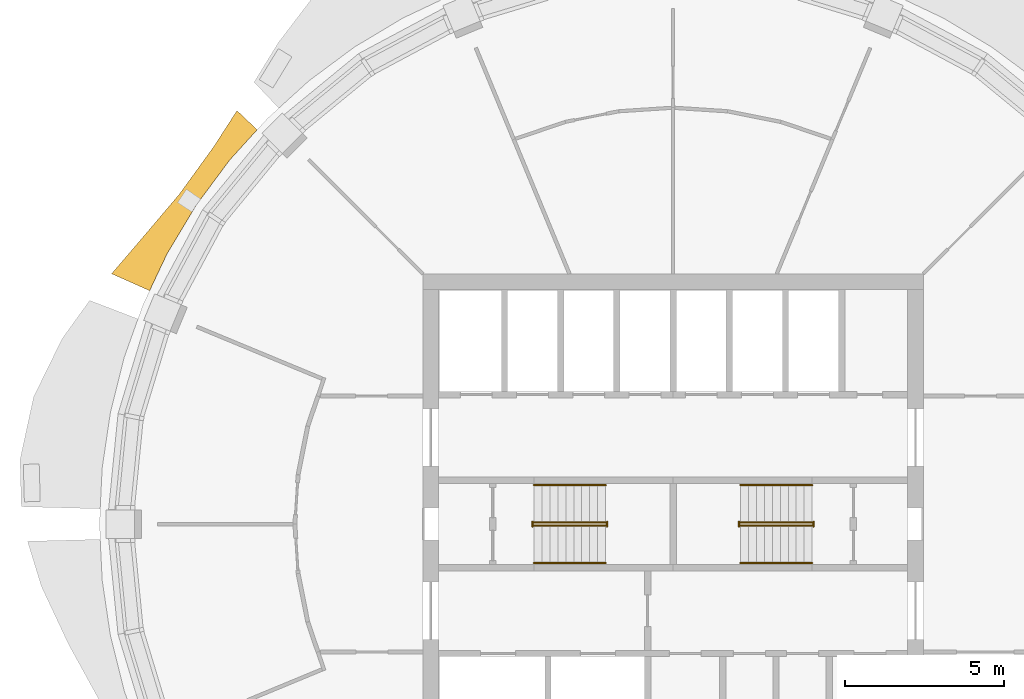
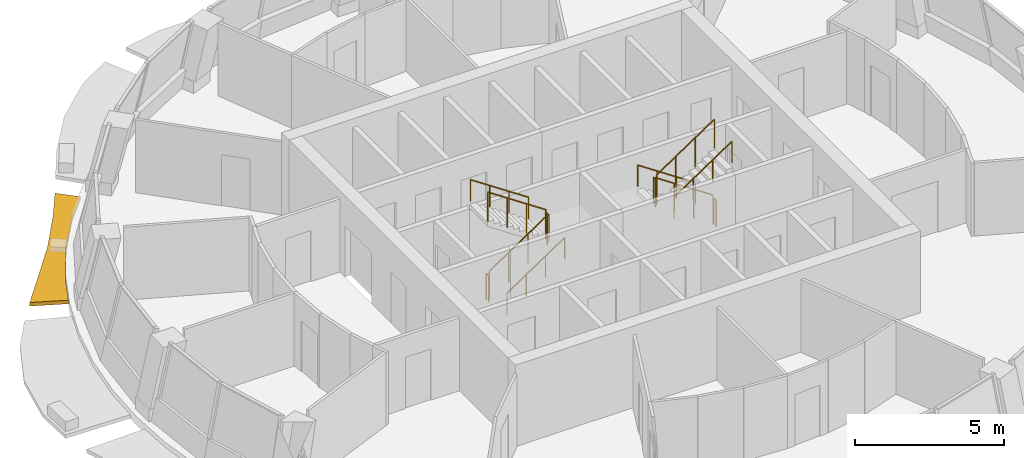
# One storey, part 9 of 11: 12 railings, 1 shading device.
"""IFC4 building model written with IfcOpenShell, lengths in metres."""

import ifcopenshell
import ifcopenshell.guid

model = None  # the IFC model being written
_history = None  # IfcOwnerHistory: only IFC2X3 demands one
_inside = {}  # id of a spatial element -> (the spatial element, [elements in it])
_under = {}  # id of a project, library or spatial element -> (it, [spatial elements below it])
_declared = {}  # id of a project -> (the project, [libraries it declares])
_typed = {}  # id of a type object -> (the type object, [elements of that type])
_made_of = {}  # id of a material, layer set ... -> (it, [elements and type objects made of it])


def new_model(schema):
    """Start an empty IFC model of exactly this schema.

    Asked for "IFC4X3", IfcOpenShell would pick the latest addendum, in which some entities
    have other attributes; the version numbers below select the first issue.
    IFC2X3 requires an IfcOwnerHistory on every rooted entity: one is made here for all.
    """
    global model, _history
    if schema == "IFC4X3":
        model = ifcopenshell.file(schema_version=(4, 3, 0, 0))
    else:
        model = ifcopenshell.file(schema=schema)
    _inside.clear()
    _under.clear()
    _declared.clear()
    _typed.clear()
    _made_of.clear()
    _history = None
    if model.schema == "IFC2X3":
        org = make("IfcOrganization", Name="unknown")
        user = make(
            "IfcPersonAndOrganization",
            ThePerson=make("IfcPerson", FamilyName="unknown"),
            TheOrganization=org,
        )
        app = make(
            "IfcApplication",
            ApplicationDeveloper=org,
            Version="unknown",
            ApplicationFullName="unknown",
            ApplicationIdentifier="unknown",
        )
        _history = make(
            "IfcOwnerHistory",
            OwningUser=user,
            OwningApplication=app,
            ChangeAction="ADDED",
            CreationDate=0,
        )
    return model


def make(cls, **values):
    """One entity of the class cls with the attributes given. An attribute that is None is left unset."""
    return model.create_entity(
        cls, **{name: value for name, value in values.items() if value is not None}
    )


def rooted(cls, **values):
    """An entity with a GlobalId (a new one), such as an element, a storey or a relation."""
    return make(cls, GlobalId=ifcopenshell.guid.new(), OwnerHistory=_history, **values)


def si_unit(unit_type, name, prefix=None):
    """IfcSIUnit, for example si_unit("LENGTHUNIT", "METRE", prefix="MILLI")."""
    return make("IfcSIUnit", UnitType=unit_type, Prefix=prefix, Name=name)


def assignment(units):
    """IfcUnitAssignment: the units of a project."""
    return None if units is None else make("IfcUnitAssignment", Units=units)


def point(xyz):
    """IfcCartesianPoint."""
    return None if xyz is None else make("IfcCartesianPoint", Coordinates=xyz)


def direction(xyz):
    """IfcDirection."""
    return None if xyz is None else make("IfcDirection", DirectionRatios=xyz)


def frame(location, z_axis=None, x_axis=None):
    """IfcAxis2Placement3D, a coordinate frame: its origin and axes. An axis left out is left unset."""
    return make(
        "IfcAxis2Placement3D",
        Location=point(location),
        Axis=direction(z_axis),
        RefDirection=direction(x_axis),
    )


def frame_2d(location, x_axis=None):
    """IfcAxis2Placement2D, a coordinate frame in the plane: its origin and x axis."""
    return make(
        "IfcAxis2Placement2D", Location=point(location), RefDirection=direction(x_axis)
    )


def origin():
    """The frame at (0, 0, 0) with its axes left unset."""
    return frame((0.0, 0.0, 0.0))


def origin_2d():
    """The frame at (0, 0) in the plane with its x axis left unset."""
    return frame_2d((0.0, 0.0))


def place(relative_to, where):
    """IfcLocalPlacement: puts the frame where relative to a parent placement (None: the world)."""
    return make(
        "IfcLocalPlacement", PlacementRelTo=relative_to, RelativePlacement=where
    )


def context(
    kind, dimensions, precision=None, world=None, true_north=None, identifier=None
):
    """IfcGeometricRepresentationContext, for example the 3D "Model" context."""
    return make(
        "IfcGeometricRepresentationContext",
        ContextIdentifier=identifier,
        ContextType=kind,
        CoordinateSpaceDimension=dimensions,
        Precision=precision,
        WorldCoordinateSystem=world,
        TrueNorth=true_north,
    )


def subcontext(parent, identifier, kind, view, scale=None):
    """IfcGeometricRepresentationSubContext, for example "Body" below "Model"."""
    return make(
        "IfcGeometricRepresentationSubContext",
        ContextIdentifier=identifier,
        ContextType=kind,
        ParentContext=parent,
        TargetScale=scale,
        TargetView=view,
    )


def project(units=None, contexts=None):
    """IfcProject with its units and contexts."""
    return rooted(
        "IfcProject",
        Name="project",
        RepresentationContexts=contexts,
        UnitsInContext=assignment(units),
    )


def spatial(cls, under=None, at=None, **own):
    """A site, building, storey or space (cls), placed at a placement, below another one or the project."""
    s = rooted(cls, ObjectPlacement=at, **own)
    if under is not None:
        _under.setdefault(under.id(), (under, []))[1].append(s)
    return s


def polyline(points):
    """IfcPolyline through the points."""
    return make("IfcPolyline", Points=[point(p) for p in points])


def profile(cls, at=None, kind="AREA", **sizes):
    """A parametric profile (cls). Its sizes go by their IFC names, for example OverallWidth=200.0."""
    return make(cls, ProfileType=kind, Position=at, **sizes)


def circle(**sizes):
    """IfcCircleProfileDef."""
    return profile("IfcCircleProfileDef", **sizes)


def outline(outer, holes=None, kind="AREA"):
    """IfcArbitraryClosedProfileDef: a profile drawn as a closed curve; with holes, ...WithVoids."""
    if holes is None:
        return make("IfcArbitraryClosedProfileDef", ProfileType=kind, OuterCurve=outer)
    return make(
        "IfcArbitraryProfileDefWithVoids",
        ProfileType=kind,
        OuterCurve=outer,
        InnerCurves=holes,
    )


def extrude(swept, where, along, depth):
    """IfcExtrudedAreaSolid: the profile swept, set in the frame where, extruded along a direction by depth."""
    return make(
        "IfcExtrudedAreaSolid",
        SweptArea=swept,
        Position=where,
        ExtrudedDirection=direction(along),
        Depth=depth,
    )


def shape(context_of_items, identifier, shape_type, items):
    """IfcShapeRepresentation: the items that make up one representation, for example the "Body"."""
    return make(
        "IfcShapeRepresentation",
        ContextOfItems=context_of_items,
        RepresentationIdentifier=identifier,
        RepresentationType=shape_type,
        Items=items,
    )


def material(Name=None, Category=None):
    """IfcMaterial."""
    return make("IfcMaterial", Name=Name, Category=Category)


def made_of(thing, what):
    """Note that an element or type object is made of a material, layer set ...; save() writes the relation."""
    if what is not None:
        _made_of.setdefault(what.id(), (what, []))[1].append(thing)
    return thing


def type_object(cls, material=None, **own):
    """A type object (cls), such as IfcWallType, which elements share."""
    return made_of(rooted(cls, **own), material)


def element(
    cls,
    number,
    at=None,
    inside=None,
    cuts=None,
    type_object=None,
    material=None,
    context=None,
    identifier="Body",
    shape_type=None,
    held_by="IfcProductDefinitionShape",
    body=None,
    shapes=None,
    **own,
):
    """One element of the class cls, such as IfcWall. Its Tag is "e" and its number.

    at: its placement. inside: the storey or other place that contains it. cuts: it is an
    opening in that element (IfcRelVoidsElement). A single representation is given by context,
    identifier, shape_type and body (its items); several are given by shapes. held_by: the class
    of the entity that holds the representations. save() writes the other relations.
    """
    e = rooted(cls, Tag="e%d" % number, ObjectPlacement=at, **own)
    if body is not None:
        shapes = [shape(context, identifier, shape_type, body)]
    if shapes is not None:
        e.Representation = make(held_by, Representations=shapes)
    if inside is not None:
        _inside.setdefault(inside.id(), (inside, []))[1].append(e)
    if cuts is not None:
        rooted(
            "IfcRelVoidsElement", RelatingBuildingElement=cuts, RelatedOpeningElement=e
        )
    if type_object is not None:
        _typed.setdefault(type_object.id(), (type_object, []))[1].append(e)
    return made_of(e, material)


def aggregate(whole, parts):
    """IfcRelAggregates: a whole, such as a stair, and the parts it consists of."""
    return rooted("IfcRelAggregates", RelatingObject=whole, RelatedObjects=parts)


def save(model, path):
    """Write the relations noted so far, then the file.

    IfcRelAggregates (storeys below a building ...), IfcRelContainedInSpatialStructure (elements
    in a storey), IfcRelDefinesByType, IfcRelAssociatesMaterial and IfcRelDeclares: one each for
    every whole, place, type object, material and project.
    """
    for whole, parts in _under.values():
        aggregate(whole, parts)
    for where, things in _inside.values():
        rooted(
            "IfcRelContainedInSpatialStructure",
            RelatedElements=things,
            RelatingStructure=where,
        )
    for kind, things in _typed.values():
        rooted("IfcRelDefinesByType", RelatedObjects=things, RelatingType=kind)
    for what, things in _made_of.values():
        rooted("IfcRelAssociatesMaterial", RelatedObjects=things, RelatingMaterial=what)
    for by, libraries in _declared.values():
        rooted("IfcRelDeclares", RelatingContext=by, RelatedDefinitions=libraries)
    model.write(path)


model = new_model("IFC4")

# Units and contexts
model_context = context("Model", 3, precision=1e-05, world=origin(), true_north=direction((0.0, 1.0)))
body_context = subcontext(model_context, "Body", "Model", "MODEL_VIEW")
ifc_project = project(units=[si_unit("LENGTHUNIT", "METRE"), si_unit("AREAUNIT", "SQUARE_METRE"), si_unit("VOLUMEUNIT", "CUBIC_METRE"), si_unit("PLANEANGLEUNIT", "RADIAN"), si_unit("MASSUNIT", "GRAM", prefix="KILO")], contexts=[model_context])

# Site, building, storey
site_placement = place(None, origin())
site = spatial("IfcSite", under=ifc_project, at=site_placement, CompositionType="ELEMENT")
building_placement = place(site_placement, origin())
building = spatial("IfcBuilding", under=site, at=building_placement, Name="Polderwave Tower", CompositionType="ELEMENT")
storey_placement = place(building_placement, frame((0.0, 0.0, 194.35009765625)))
storey = spatial("IfcBuildingStorey", under=building, at=storey_placement, Name="L52", CompositionType="ELEMENT", Elevation=194.35009765625)

# Railings
ifc_material_1 = material(Name="Stainless steel", Category="steel")
railing_type_1 = type_object("IfcRailingType", Name="Stair guard 1100", PredefinedType="GUARDRAIL", material=ifc_material_1)
railing_1_placement = place(storey_placement, frame((-4.3740234375, -0.051025390625, 0.04736328125)))
element("IfcRailing", 1, at=railing_1_placement, inside=storey, type_object=railing_type_1, Name="L52 ST-A stair guard 1", PredefinedType="GUARDRAIL", context=body_context, shape_type="SweptSolid", body=[
    extrude(circle(Radius=0.02392578125, at=origin_2d()), frame((0.0, 0.0, 1.1962890625), z_axis=(0.830799990696, 0.0, 0.556571087517), x_axis=(0.0, 1.0, 0.0)), (0.0, 0.0, 1.0), 2.708251953125),
    extrude(circle(Radius=0.02392578125, at=origin_2d()), origin(), (0.0, 0.0, 1.0), 1.172119140625),
    extrude(circle(Radius=0.02392578125, at=origin_2d()), frame((0.75, 0.0, 0.50244140625)), (0.0, 0.0, 1.0), 1.172119140625),
    extrude(circle(Radius=0.02392578125, at=origin_2d()), frame((1.5, 0.0, 1.0048828125)), (0.0, 0.0, 1.0), 1.172119140625),
    extrude(circle(Radius=0.02392578125, at=origin_2d()), frame((2.25, 0.0, 1.50732421875)), (0.0, 0.0, 1.0), 1.172119140625),
])
railing_2_placement = place(storey_placement, frame((-2.073974609375, -0.074951171875, 1.6748046875)))
element("IfcRailing", 2, at=railing_2_placement, inside=storey, type_object=railing_type_1, Name="L52 ST-A stair guard 2", PredefinedType="GUARDRAIL", context=body_context, shape_type="SweptSolid", body=[
    extrude(circle(Radius=0.02392578125, at=origin_2d()), frame((0.0, 0.0, 1.076171875), z_axis=(0.0, 1.0, 0.0), x_axis=(-1.0, 0.0, 0.0)), (0.0, 0.0, 1.0), 0.14990234375),
    extrude(circle(Radius=0.02099609375, at=origin_2d()), origin(), (0.0, 0.0, 1.0), 1.052001953125),
    extrude(circle(Radius=0.02099609375, at=origin_2d()), frame((0.0, 0.14990234375, 0.0)), (0.0, 0.0, 1.0), 1.052001953125),
])
railing_3_placement = place(storey_placement, frame((-2.1240234375, 0.051025390625, 1.72216796875)))
element("IfcRailing", 3, at=railing_3_placement, inside=storey, type_object=railing_type_1, Name="L52 ST-A stair guard 3", PredefinedType="GUARDRAIL", context=body_context, shape_type="SweptSolid", body=[
    extrude(circle(Radius=0.02392578125, at=origin_2d()), frame((0.0, 0.0, 1.1962890625), z_axis=(-0.830758306289, 0.0, 0.556633305266), x_axis=(0.0, -1.0, 0.0)), (0.0, 0.0, 1.0), 2.708251953125),
    extrude(circle(Radius=0.02392578125, at=origin_2d()), origin(), (0.0, 0.0, 1.0), 1.172119140625),
    extrude(circle(Radius=0.02392578125, at=origin_2d()), frame((-0.75, 0.0, 0.50244140625)), (0.0, 0.0, 1.0), 1.172119140625),
    extrude(circle(Radius=0.02392578125, at=origin_2d()), frame((-1.5, 0.0, 1.005126953125)), (0.0, 0.0, 1.0), 1.172119140625),
    extrude(circle(Radius=0.02392578125, at=origin_2d()), frame((-2.25, 0.0, 1.507568359375)), (0.0, 0.0, 1.0), 1.172119140625),
])
railing_4_placement = place(storey_placement, frame((-4.424072265625, -0.074951171875, 0.0)))
element("IfcRailing", 4, at=railing_4_placement, inside=storey, type_object=railing_type_1, Name="L52 ST-A stair guard 4", PredefinedType="GUARDRAIL", context=body_context, shape_type="SweptSolid", body=[
    extrude(circle(Radius=0.02392578125, at=origin_2d()), frame((0.0, 0.0, 1.076171875), z_axis=(0.0, 1.0, 0.0), x_axis=(-1.0, 0.0, 0.0)), (0.0, 0.0, 1.0), 0.14990234375),
    extrude(circle(Radius=0.02099609375, at=origin_2d()), origin(), (0.0, 0.0, 1.0), 1.052001953125),
    extrude(circle(Radius=0.02099609375, at=origin_2d()), frame((0.0, 0.14990234375, 0.0)), (0.0, 0.0, 1.0), 1.052001953125),
])
railing_5_placement = place(storey_placement, frame((4.3740234375, 0.051025390625, 0.04736328125)))
element("IfcRailing", 5, at=railing_5_placement, inside=storey, type_object=railing_type_1, Name="L52 ST-B stair guard 1", PredefinedType="GUARDRAIL", context=body_context, shape_type="SweptSolid", body=[
    extrude(circle(Radius=0.02392578125, at=origin_2d()), frame((0.0, 0.0, 1.1962890625), z_axis=(-0.830799990696, 0.0, 0.556571087517), x_axis=(0.0, -1.0, 0.0)), (0.0, 0.0, 1.0), 2.708251953125),
    extrude(circle(Radius=0.02392578125, at=origin_2d()), origin(), (0.0, 0.0, 1.0), 1.172119140625),
    extrude(circle(Radius=0.02392578125, at=origin_2d()), frame((-0.75, 0.0, 0.50244140625)), (0.0, 0.0, 1.0), 1.172119140625),
    extrude(circle(Radius=0.02392578125, at=origin_2d()), frame((-1.5, 0.0, 1.0048828125)), (0.0, 0.0, 1.0), 1.172119140625),
    extrude(circle(Radius=0.02392578125, at=origin_2d()), frame((-2.25, 0.0, 1.50732421875)), (0.0, 0.0, 1.0), 1.172119140625),
])
railing_6_placement = place(storey_placement, frame((2.073974609375, 0.074951171875, 1.6748046875)))
element("IfcRailing", 6, at=railing_6_placement, inside=storey, type_object=railing_type_1, Name="L52 ST-B stair guard 2", PredefinedType="GUARDRAIL", context=body_context, shape_type="SweptSolid", body=[
    extrude(circle(Radius=0.02392578125, at=origin_2d()), frame((0.0, 0.0, 1.076171875), z_axis=(0.0, -1.0, 0.0), x_axis=(1.0, 0.0, 0.0)), (0.0, 0.0, 1.0), 0.14990234375),
    extrude(circle(Radius=0.02099609375, at=origin_2d()), origin(), (0.0, 0.0, 1.0), 1.052001953125),
    extrude(circle(Radius=0.02099609375, at=origin_2d()), frame((0.0, -0.14990234375, 0.0)), (0.0, 0.0, 1.0), 1.052001953125),
])
railing_7_placement = place(storey_placement, frame((2.1240234375, -0.051025390625, 1.72216796875)))
element("IfcRailing", 7, at=railing_7_placement, inside=storey, type_object=railing_type_1, Name="L52 ST-B stair guard 3", PredefinedType="GUARDRAIL", context=body_context, shape_type="SweptSolid", body=[
    extrude(circle(Radius=0.02392578125, at=origin_2d()), frame((0.0, 0.0, 1.1962890625), z_axis=(0.830758306289, 0.0, 0.556633305266), x_axis=(0.0, 1.0, 0.0)), (0.0, 0.0, 1.0), 2.708251953125),
    extrude(circle(Radius=0.02392578125, at=origin_2d()), origin(), (0.0, 0.0, 1.0), 1.172119140625),
    extrude(circle(Radius=0.02392578125, at=origin_2d()), frame((0.75, 0.0, 0.50244140625)), (0.0, 0.0, 1.0), 1.172119140625),
    extrude(circle(Radius=0.02392578125, at=origin_2d()), frame((1.5, 0.0, 1.005126953125)), (0.0, 0.0, 1.0), 1.172119140625),
    extrude(circle(Radius=0.02392578125, at=origin_2d()), frame((2.25, 0.0, 1.507568359375)), (0.0, 0.0, 1.0), 1.172119140625),
])
railing_8_placement = place(storey_placement, frame((4.424072265625, 0.074951171875, 0.0)))
element("IfcRailing", 8, at=railing_8_placement, inside=storey, type_object=railing_type_1, Name="L52 ST-B stair guard 4", PredefinedType="GUARDRAIL", context=body_context, shape_type="SweptSolid", body=[
    extrude(circle(Radius=0.02392578125, at=origin_2d()), frame((0.0, 0.0, 1.076171875), z_axis=(0.0, -1.0, 0.0), x_axis=(1.0, 0.0, 0.0)), (0.0, 0.0, 1.0), 0.14990234375),
    extrude(circle(Radius=0.02099609375, at=origin_2d()), origin(), (0.0, 0.0, 1.0), 1.052001953125),
    extrude(circle(Radius=0.02099609375, at=origin_2d()), frame((0.0, -0.14990234375, 0.0)), (0.0, 0.0, 1.0), 1.052001953125),
])
railing_type_2 = type_object("IfcRailingType", Name="Stair handrail 900", PredefinedType="HANDRAIL", material=ifc_material_1)
railing_9_placement = place(storey_placement, frame((-4.3740234375, -1.22509765625, 0.16748046875)))
element("IfcRailing", 9, at=railing_9_placement, inside=storey, type_object=railing_type_2, Name="L52 ST-A stair handrail 1", PredefinedType="HANDRAIL", context=body_context, shape_type="SweptSolid", body=[
    extrude(circle(Radius=0.02392578125, at=origin_2d()), frame((0.0, 0.0, 0.8759765625), z_axis=(0.830799990696, 0.0, 0.556571087517), x_axis=(0.0, 1.0, 0.0)), (0.0, 0.0, 1.0), 2.708251953125),
    extrude(circle(Radius=0.02099609375, at=origin_2d()), origin(), (0.0, 0.0, 1.0), 0.851806640625),
    extrude(circle(Radius=0.02099609375, at=origin_2d()), frame((0.75, 0.0, 0.50244140625)), (0.0, 0.0, 1.0), 0.851806640625),
    extrude(circle(Radius=0.02099609375, at=origin_2d()), frame((1.5, 0.0, 1.0048828125)), (0.0, 0.0, 1.0), 0.851806640625),
    extrude(circle(Radius=0.02099609375, at=origin_2d()), frame((2.25, 0.0, 1.50732421875)), (0.0, 0.0, 1.0), 0.851806640625),
])
railing_10_placement = place(storey_placement, frame((-2.1240234375, 1.22509765625, 1.84228515625)))
element("IfcRailing", 10, at=railing_10_placement, inside=storey, type_object=railing_type_2, Name="L52 ST-A stair handrail 2", PredefinedType="HANDRAIL", context=body_context, shape_type="SweptSolid", body=[
    extrude(circle(Radius=0.02392578125, at=origin_2d()), frame((0.0, 0.0, 0.8759765625), z_axis=(-0.830758306289, 0.0, 0.556633305266), x_axis=(0.0, -1.0, 0.0)), (0.0, 0.0, 1.0), 2.708251953125),
    extrude(circle(Radius=0.02099609375, at=origin_2d()), origin(), (0.0, 0.0, 1.0), 0.851806640625),
    extrude(circle(Radius=0.02099609375, at=origin_2d()), frame((-0.75, 0.0, 0.50244140625)), (0.0, 0.0, 1.0), 0.851806640625),
    extrude(circle(Radius=0.02099609375, at=origin_2d()), frame((-1.5, 0.0, 1.005126953125)), (0.0, 0.0, 1.0), 0.851806640625),
    extrude(circle(Radius=0.02099609375, at=origin_2d()), frame((-2.25, 0.0, 1.507568359375)), (0.0, 0.0, 1.0), 0.851806640625),
])
railing_11_placement = place(storey_placement, frame((4.3740234375, 1.22509765625, 0.16748046875)))
element("IfcRailing", 11, at=railing_11_placement, inside=storey, type_object=railing_type_2, Name="L52 ST-B stair handrail 1", PredefinedType="HANDRAIL", context=body_context, shape_type="SweptSolid", body=[
    extrude(circle(Radius=0.02392578125, at=origin_2d()), frame((0.0, 0.0, 0.8759765625), z_axis=(-0.830799990696, 0.0, 0.556571087517), x_axis=(0.0, -1.0, 0.0)), (0.0, 0.0, 1.0), 2.708251953125),
    extrude(circle(Radius=0.02099609375, at=origin_2d()), origin(), (0.0, 0.0, 1.0), 0.851806640625),
    extrude(circle(Radius=0.02099609375, at=origin_2d()), frame((-0.75, 0.0, 0.50244140625)), (0.0, 0.0, 1.0), 0.851806640625),
    extrude(circle(Radius=0.02099609375, at=origin_2d()), frame((-1.5, 0.0, 1.0048828125)), (0.0, 0.0, 1.0), 0.851806640625),
    extrude(circle(Radius=0.02099609375, at=origin_2d()), frame((-2.25, 0.0, 1.50732421875)), (0.0, 0.0, 1.0), 0.851806640625),
])
railing_12_placement = place(storey_placement, frame((2.1240234375, -1.22509765625, 1.84228515625)))
element("IfcRailing", 12, at=railing_12_placement, inside=storey, type_object=railing_type_2, Name="L52 ST-B stair handrail 2", PredefinedType="HANDRAIL", context=body_context, shape_type="SweptSolid", body=[
    extrude(circle(Radius=0.02392578125, at=origin_2d()), frame((0.0, 0.0, 0.8759765625), z_axis=(0.830758306289, 0.0, 0.556633305266), x_axis=(0.0, 1.0, 0.0)), (0.0, 0.0, 1.0), 2.708251953125),
    extrude(circle(Radius=0.02099609375, at=origin_2d()), origin(), (0.0, 0.0, 1.0), 0.851806640625),
    extrude(circle(Radius=0.02099609375, at=origin_2d()), frame((0.75, 0.0, 0.50244140625)), (0.0, 0.0, 1.0), 0.851806640625),
    extrude(circle(Radius=0.02099609375, at=origin_2d()), frame((1.5, 0.0, 1.005126953125)), (0.0, 0.0, 1.0), 0.851806640625),
    extrude(circle(Radius=0.02099609375, at=origin_2d()), frame((2.25, 0.0, 1.507568359375)), (0.0, 0.0, 1.0), 0.851806640625),
])

# Shading device
ifc_material_2 = material(Name="Terracotta", Category="masonry")
shading_device_type = type_object("IfcShadingDeviceType", Name="Terracotta sunshade band", PredefinedType="USERDEFINED", material=ifc_material_2)
shading_device_placement = place(storey_placement, frame((0.0, 0.0, -0.35009765625)))
element("IfcShadingDevice", 13, at=shading_device_placement, inside=storey, type_object=shading_device_type, Name="Sunshade band L52 7", ObjectType="SUNSHADE", PredefinedType="USERDEFINED", context=body_context, shape_type="SweptSolid", body=[
    extrude(outline(polyline([(-13.08642578125, 12.40673828125), (-13.952880859375, 11.45068359375), (-15.008056640625, 10.028076171875), (-15.918701171875, 8.5087890625), (-16.47021484375, 7.342529296875), (-17.6669921875, 7.8759765625), (-16.746337890625, 8.951171875), (-15.53466796875, 10.3798828125), (-14.45849609375, 11.86572265625), (-13.72119140625, 13.008544921875), (-13.08642578125, 12.40673828125)])), origin(), (0.0, 0.0, 1.0), 0.14990234375),
])

save(model, "model.ifc")
